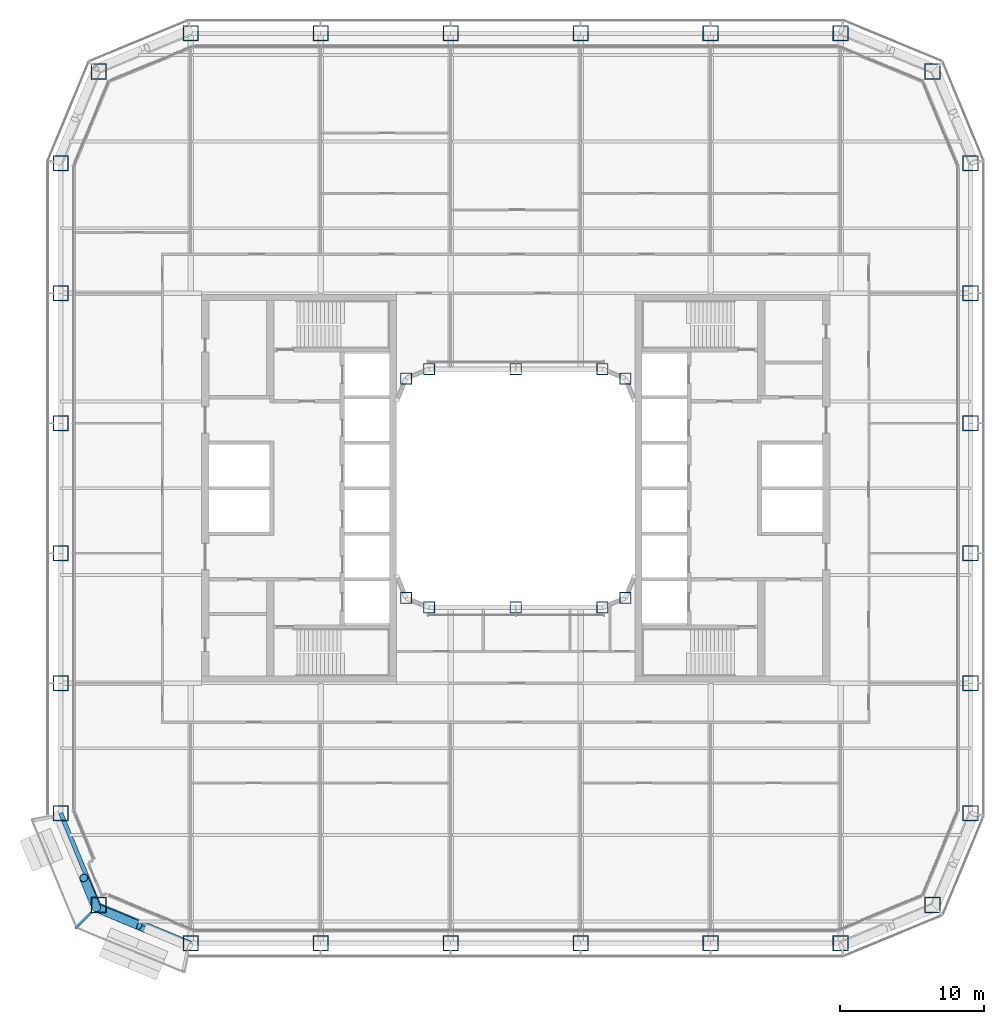
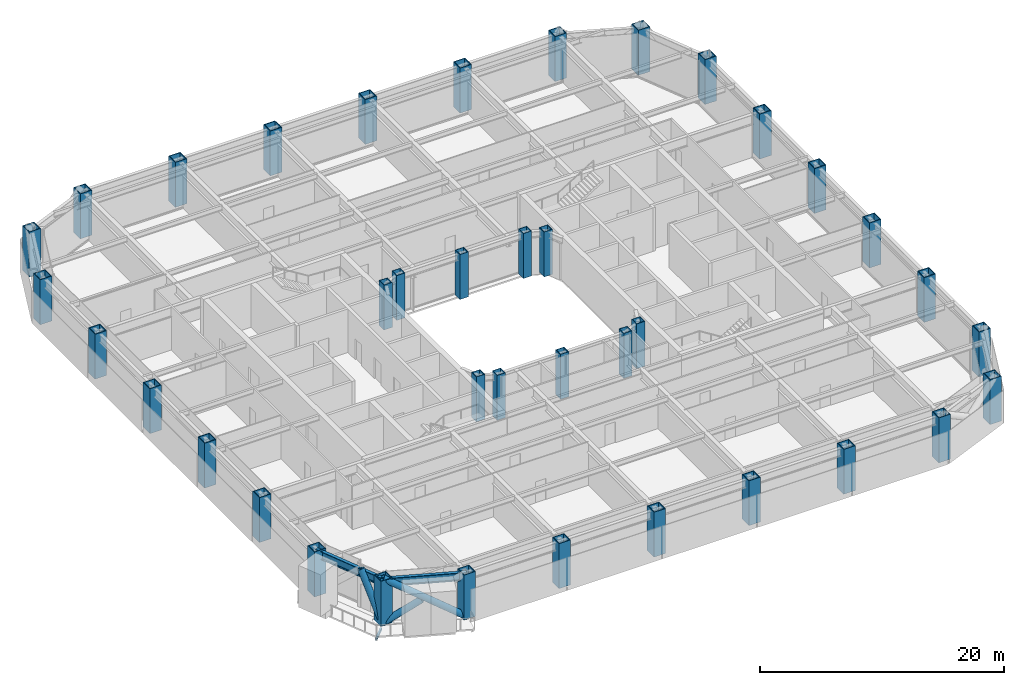
# One storey, part 1 of 27: 38 columns, 3 beams, 3 members.
"""IFC4 building model written with IfcOpenShell, lengths in metres."""

from ifc_helpers import new_model, si_unit, direction, frame, origin, origin_2d, place, context, subcontext, project, spatial, hollow_rectangle, hollow_circle, i_section, extrude, material, material_profile, profile_set, type_object, element, save


model = new_model("IFC4")

# Units and contexts
model_context = context("Model", 3, precision=1e-05, world=origin(), true_north=direction((0.0, 1.0)))
body_context = subcontext(model_context, "Body", "Model", "MODEL_VIEW")
ifc_project = project(units=[si_unit("LENGTHUNIT", "METRE"), si_unit("AREAUNIT", "SQUARE_METRE"), si_unit("VOLUMEUNIT", "CUBIC_METRE"), si_unit("PLANEANGLEUNIT", "RADIAN"), si_unit("MASSUNIT", "GRAM", prefix="KILO")], contexts=[model_context])

# Site, building, storey
site_placement = place(None, origin())
site = spatial("IfcSite", under=ifc_project, at=site_placement, CompositionType="ELEMENT")
building_placement = place(site_placement, origin())
building = spatial("IfcBuilding", under=site, at=building_placement, Name="Siwar Civic Tower", CompositionType="ELEMENT")
storey_placement = place(building_placement, frame((0.0, 0.0, 35.699951171875)))
storey = spatial("IfcBuildingStorey", under=building, at=storey_placement, Name="L07", CompositionType="ELEMENT", Elevation=35.699951171875)

# Columns
ifc_material_1 = material(Name="Steel S460", Category="steel")
ifc_material_profile_1 = material_profile(ifc_material_1, hollow_rectangle(XDim=1.10009765625, YDim=1.10009765625, WallThickness=0.070068359375, at=origin_2d()), Name="BOX1100x1100x70")
ifc_profile_set_1 = profile_set([ifc_material_profile_1], Name="Steel S460")
column_type_1 = type_object("IfcColumnType", Name="STR-COL-BOX1100x1100x70", PredefinedType="COLUMN", material=ifc_profile_set_1)
for number, where, z_axis, x_axis, name in (
    (1, (-22.5, -31.5, 0.0), (0.0, 0.0, 1.0), (1.0, 0.0, 0.0), "L07/col/S-0"),
    (2, (-13.5, -31.5, 0.0), (0.0, 0.0, 1.0), (1.0, 0.0, 0.0), "L07/col/S-1"),
    (3, (-4.5, -31.5, 0.0), (0.0, 0.0, 1.0), (1.0, 0.0, 0.0), "L07/col/S-2"),
    (4, (4.5, -31.5, 0.0), (0.0, 0.0, 1.0), (1.0, 0.0, 0.0), "L07/col/S-3"),
    (5, (13.5, -31.5, 0.0), (0.0, 0.0, 1.0), (1.0, 0.0, 0.0), "L07/col/S-4"),
    (6, (22.5, -31.5, 0.0), (0.0, 0.0, 1.0), (1.0, 0.0, 0.0), "L07/col/SE1-0"),
    (7, (28.864013671875, -28.864013671875, 0.0), (0.0, 0.0, 1.0), (1.0, 0.0, 0.0), "L07/col/SE2-0"),
    (8, (31.5, -22.5, 0.0), (0.0, 0.0, 1.0), (1.0, 0.0, 0.0), "L07/col/E-0"),
    (9, (31.5, -13.5, 0.0), (0.0, 0.0, 1.0), (1.0, 0.0, 0.0), "L07/col/E-1"),
    (10, (31.5, -4.5, 0.0), (0.0, 0.0, 1.0), (1.0, 0.0, 0.0), "L07/col/E-2"),
    (11, (31.5, 4.5, 0.0), (0.0, 0.0, 1.0), (1.0, 0.0, 0.0), "L07/col/E-3"),
    (12, (31.5, 13.5, 0.0), (0.0, 0.0, 1.0), (1.0, 0.0, 0.0), "L07/col/E-4"),
    (13, (31.5, 22.5, 0.0), (0.0, 0.0, 1.0), (1.0, 0.0, 0.0), "L07/col/NE1-0"),
    (14, (28.864013671875, 28.864013671875, 0.0), (0.0, 0.0, 1.0), (1.0, 0.0, 0.0), "L07/col/NE2-0"),
    (15, (22.5, 31.5, 0.0), (0.0, 0.0, 1.0), (1.0, 0.0, 0.0), "L07/col/N-0"),
    (16, (13.5, 31.5, 0.0), (0.0, 0.0, 1.0), (1.0, 0.0, 0.0), "L07/col/N-1"),
    (17, (4.5, 31.5, 0.0), (0.0, 0.0, 1.0), (1.0, 0.0, 0.0), "L07/col/N-2"),
    (18, (-4.5, 31.5, 0.0), (0.0, 0.0, 1.0), (1.0, 0.0, 0.0), "L07/col/N-3"),
    (19, (-13.5, 31.5, 0.0), (0.0, 0.0, 1.0), (1.0, 0.0, 0.0), "L07/col/N-4"),
    (20, (-22.5, 31.5, 0.0), (0.0, 0.0, 1.0), (1.0, 0.0, 0.0), "L07/col/NW1-0"),
    (21, (-28.864013671875, 28.864013671875, 0.0), (0.0, 0.0, 1.0), (1.0, 0.0, 0.0), "L07/col/NW2-0"),
    (22, (-31.5, 22.5, 0.0), (0.0, 0.0, 1.0), (1.0, 0.0, 0.0), "L07/col/W-0"),
    (23, (-31.5, 13.5, 0.0), (0.0, 0.0, 1.0), (1.0, 0.0, 0.0), "L07/col/W-1"),
    (24, (-31.5, 4.5, 0.0), (0.0, 0.0, 1.0), (1.0, 0.0, 0.0), "L07/col/W-2"),
    (25, (-31.5, -4.5, 0.0), (0.0, 0.0, 1.0), (1.0, 0.0, 0.0), "L07/col/W-3"),
    (26, (-31.5, -13.5, 0.0), (0.0, 0.0, 1.0), (1.0, 0.0, 0.0), "L07/col/W-4"),
    (27, (-31.5, -22.5, 0.0), (0.0, 0.0, 1.0), (1.0, 0.0, 0.0), "L07/col/SW1-0"),
    (28, (-28.864013671875, -28.864013671875, 0.0), (0.0, 0.0, 1.0), (1.0, 0.0, 0.0), "L07/col/SW2-0"),
):
    element("IfcColumn", number, at=place(storey_placement, frame(where, z_axis=z_axis, x_axis=x_axis)), inside=storey, type_object=column_type_1, Name=name, PredefinedType="COLUMN", context=body_context, shape_type="SweptSolid", body=[
        extrude(hollow_rectangle(XDim=1.10009765625, YDim=1.10009765625, WallThickness=0.070068359375, at=origin_2d()), origin(), (0.0, 0.0, 1.0), 4.5),
    ])
ifc_material_2 = material(Name="Steel S355", Category="steel")
ifc_material_profile_2 = material_profile(ifc_material_2, hollow_rectangle(XDim=0.800048828125, YDim=0.800048828125, WallThickness=0.050048828125, at=origin_2d()), Name="BOX800x800x50")
ifc_profile_set_2 = profile_set([ifc_material_profile_2], Name="Steel S355")
column_type_2 = type_object("IfcColumnType", Name="STR-ICOL-BOX800x800x50", PredefinedType="COLUMN", material=ifc_profile_set_2)
for number, where, z_axis, x_axis, name in (
    (29, (-7.591064453125, -7.591064453125, 0.0), (0.0, 0.0, 1.0), (1.0, 0.0, 0.0), "L07/col/IS-0"),
    (30, (-6.0, -8.25, 0.0), (0.0, 0.0, 1.0), (1.0, 0.0, 0.0), "L07/col/IS-1"),
    (31, (0.0, -8.25, 0.0), (0.0, 0.0, 1.0), (1.0, 0.0, 0.0), "L07/col/IS-2"),
    (32, (6.0, -8.25, 0.0), (0.0, 0.0, 1.0), (1.0, 0.0, 0.0), "L07/col/IS-3"),
    (33, (7.591064453125, -7.591064453125, 0.0), (0.0, 0.0, 1.0), (1.0, 0.0, 0.0), "L07/col/IS-4"),
    (34, (-7.591064453125, 7.591064453125, 0.0), (0.0, 0.0, 1.0), (1.0, 0.0, 0.0), "L07/col/IN-0"),
    (35, (-6.0, 8.25, 0.0), (0.0, 0.0, 1.0), (1.0, 0.0, 0.0), "L07/col/IN-1"),
    (36, (0.0, 8.25, 0.0), (0.0, 0.0, 1.0), (1.0, 0.0, 0.0), "L07/col/IN-2"),
    (37, (6.0, 8.25, 0.0), (0.0, 0.0, 1.0), (1.0, 0.0, 0.0), "L07/col/IN-3"),
    (38, (7.591064453125, 7.591064453125, 0.0), (0.0, 0.0, 1.0), (1.0, 0.0, 0.0), "L07/col/IN-4"),
):
    element("IfcColumn", number, at=place(storey_placement, frame(where, z_axis=z_axis, x_axis=x_axis)), inside=storey, type_object=column_type_2, Name=name, PredefinedType="COLUMN", context=body_context, shape_type="SweptSolid", body=[
        extrude(hollow_rectangle(XDim=0.800048828125, YDim=0.800048828125, WallThickness=0.050048828125, at=origin_2d()), origin(), (0.0, 0.0, 1.0), 4.5),
    ])

# Beam
ifc_material_3 = material(Name="Steel S355", Category="steel")
ifc_material_profile_3 = material_profile(ifc_material_3, hollow_rectangle(XDim=0.14990234375, YDim=0.25, WallThickness=0.010009765625, at=origin_2d()), Name="RHS250x150x10")
ifc_profile_set_3 = profile_set([ifc_material_profile_3], Name="Steel S355")
beam_type_1 = type_object("IfcBeamType", Name="ENV-BALCONY ARM", PredefinedType="BEAM", material=ifc_profile_set_3)
beam_placement = place(storey_placement, frame((-29.378662109375, -29.378662109375, -0.27490234375), z_axis=(-0.707106781187, -0.707106781187, 0.0), x_axis=(0.707106781187, -0.707106781187, 0.0)))
element("IfcBeam", 39, at=beam_placement, inside=storey, type_object=beam_type_1, Name="Balcony cantilever beam SW 2", PredefinedType="BEAM", context=body_context, shape_type="SweptSolid", body=[
    extrude(hollow_rectangle(XDim=0.14990234375, YDim=0.25, WallThickness=0.010009765625, at=origin_2d()), origin(), (0.0, 0.0, 1.0), 1.545166015625),
])

# Members
ifc_material_4 = material(Name="Steel S355", Category="steel")
ifc_material_profile_4 = material_profile(ifc_material_4, hollow_circle(Radius=0.304931640625, WallThickness=0.030029296875, at=origin_2d()), Name="CHS610x30")
ifc_profile_set_4 = profile_set([ifc_material_profile_4], Name="Steel S355")
member_type = type_object("IfcMemberType", Name="STR-BR-CHS610x30", PredefinedType="BRACE", material=ifc_profile_set_4)
member_1_placement = place(storey_placement, frame((-22.548828125, -31.7451171875, 0.0), z_axis=(-0.777554562952, 0.323905527954, 0.538975055633), x_axis=(-0.384538969033, -0.923108759191, 0.0)))
element("IfcMember", 40, at=member_1_placement, inside=storey, type_object=member_type, Name="L07/brc/ASW1-6-0-1", PredefinedType="BRACE", context=body_context, shape_type="SweptSolid", body=[
    extrude(hollow_circle(Radius=0.304931640625, WallThickness=0.030029296875, at=origin_2d()), origin(), (0.0, 0.0, 1.0), 8.34912109375),
])
member_2_placement = place(storey_placement, frame((-29.040771484375, -29.040771484375, 0.0), z_axis=(0.777542179573, -0.323922979564, 0.53898243227), x_axis=(0.384561842466, 0.923099230484, 0.0)))
element("IfcMember", 41, at=member_2_placement, inside=storey, type_object=member_type, Name="L07/brc/ASW1-6-0-2", PredefinedType="BRACE", context=body_context, shape_type="SweptSolid", body=[
    extrude(hollow_circle(Radius=0.304931640625, WallThickness=0.030029296875, at=origin_2d()), origin(), (0.0, 0.0, 1.0), 3.84375),
])
member_3_placement = place(storey_placement, frame((-29.040771484375, -29.040771484375, 0.0), z_axis=(-0.171426870802, 0.411570178484, 0.895110504993), x_axis=(-0.923125254544, -0.384499368559, 0.0)))
element("IfcMember", 42, at=member_3_placement, inside=storey, type_object=member_type, Name="L07/brc/ASW1-6-0-6", PredefinedType="BRACE", context=body_context, shape_type="SweptSolid", body=[
    extrude(hollow_circle(Radius=0.304931640625, WallThickness=0.030029296875, at=origin_2d()), origin(), (0.0, 0.0, 1.0), 5.02734375),
])

# Beams
ifc_material_5 = material(Name="Steel S355", Category="steel")
ifc_material_profile_5 = material_profile(ifc_material_5, i_section(OverallWidth=0.302978515625, OverallDepth=0.81396484375, WebThickness=0.02099609375, FlangeThickness=0.0400390625, FilletRadius=0.030029296875, at=origin_2d()), Name="HEM800")
ifc_profile_set_5 = profile_set([ifc_material_profile_5], Name="Steel S355")
beam_type_2 = type_object("IfcBeamType", Name="STR-SB-HEM800", PredefinedType="BEAM", material=ifc_profile_set_5)
for number, where, z_axis, x_axis, name in (
    (43, (-31.5, -22.5, 3.943115234375), (0.382674207535, -0.923883353507, 0.0), (0.923883353507, 0.382674207535, 0.0), "L07/bm/SSW1-0"),
    (44, (-28.864013671875, -28.864013671875, 3.943115234375), (0.923883353507, -0.382674207535, 0.0), (0.382674207535, 0.923883353507, 0.0), "L07/bm/SSW2-0"),
):
    element("IfcBeam", number, at=place(storey_placement, frame(where, z_axis=z_axis, x_axis=x_axis)), inside=storey, type_object=beam_type_2, Name=name, PredefinedType="BEAM", context=body_context, shape_type="SweptSolid", body=[
        extrude(i_section(OverallWidth=0.302978515625, OverallDepth=0.81396484375, WebThickness=0.02099609375, FlangeThickness=0.0400390625, FilletRadius=0.030029296875, at=origin_2d()), origin(), (0.0, 0.0, 1.0), 6.888427734375),
    ])

save(model, "model.ifc")
